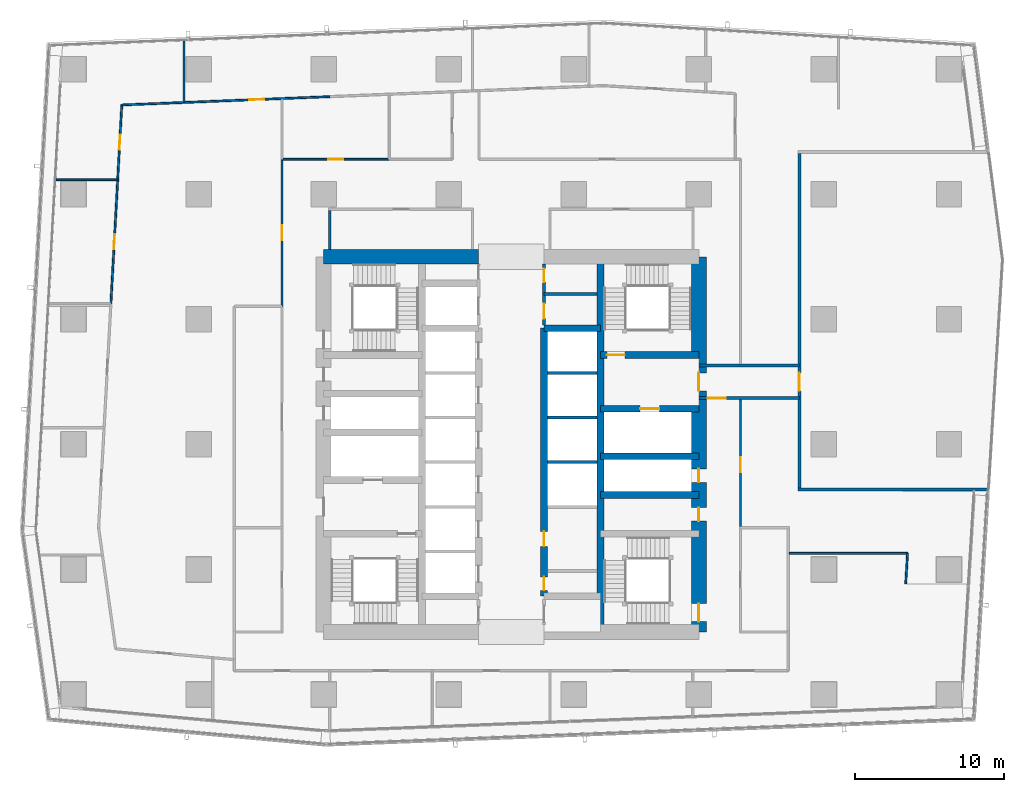
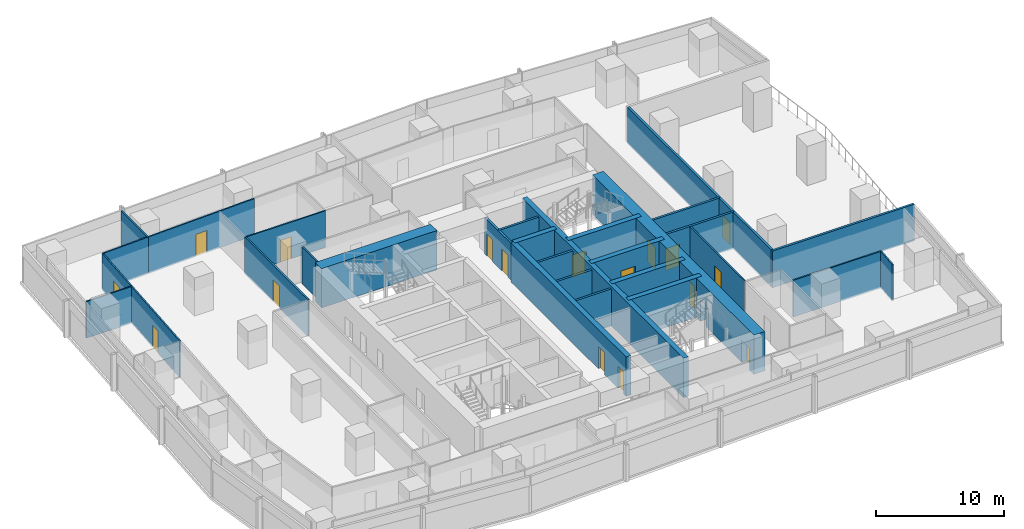
# One storey, part 30 of 40: 30 walls, 18 doors, 18 openings.
"""IFC4 building model written with IfcOpenShell, lengths in metres."""

from ifc_helpers import new_model, si_unit, direction, frame, frame_2d, origin, place, context, subcontext, project, spatial, rectangle, extrude, material, layer, layer_set, type_object, element, fill, save


model = new_model("IFC4")

# Units and contexts
model_context = context("Model", 3, precision=1e-05, world=origin(), true_north=direction((0.0, 1.0)))
body_context = subcontext(model_context, "Body", "Model", "MODEL_VIEW")
ifc_project = project(units=[si_unit("LENGTHUNIT", "METRE"), si_unit("AREAUNIT", "SQUARE_METRE"), si_unit("VOLUMEUNIT", "CUBIC_METRE"), si_unit("PLANEANGLEUNIT", "RADIAN"), si_unit("MASSUNIT", "GRAM", prefix="KILO")], contexts=[model_context])

# Site, building, storey
site_placement = place(None, origin())
site = spatial("IfcSite", under=ifc_project, at=site_placement, CompositionType="ELEMENT")
building_placement = place(site_placement, origin())
building = spatial("IfcBuilding", under=site, at=building_placement, Name="Rekha Terrace Tower", CompositionType="ELEMENT")
storey_placement = place(building_placement, frame((0.0, 0.0, 129.050048828125)))
storey = spatial("IfcBuildingStorey", under=building, at=storey_placement, Name="L32", CompositionType="ELEMENT", Elevation=129.050048828125)

# Wall
ifc_material_1 = material(Name="Concrete M70", Category="concrete")
ifc_layer_1 = layer(ifc_material_1, 0.449951171875)
ifc_layer_set_1 = layer_set([ifc_layer_1], Name="Concrete M70")
wall_type_1 = type_object("IfcWallType", Name="CI2 450 core internal shear wall", PredefinedType="SHEAR", material=ifc_layer_set_1)
wall_1_placement = place(storey_placement, frame((43.800048828125, 21.0, 0.0), z_axis=(0.0, 0.0, 1.0), x_axis=(0.0, 1.0, 0.0)))
element("IfcWall", 1, at=wall_1_placement, inside=storey, type_object=wall_type_1, Name="Core wall X438 L32", PredefinedType="SHEAR", context=body_context, shape_type="SweptSolid", body=[
    extrude(rectangle(XDim=25.199951171875, YDim=0.449951171875, at=frame_2d((12.60009765625, 0.0))), origin(), (0.0, 0.0, 1.0), 3.75),
])

# Wall, openings, doors
wall_2_placement = place(storey_placement, frame((40.0, 23.39990234375, 0.0), z_axis=(0.0, 0.0, 1.0), x_axis=(0.0, 1.0, 0.0)))
wall_2 = element("IfcWall", 2, at=wall_2_placement, inside=storey, type_object=wall_type_1, Name="Core wall X400 L32", PredefinedType="SHEAR", context=body_context, shape_type="SweptSolid", body=[
    extrude(rectangle(XDim=18.0, YDim=0.449951171875, at=frame_2d((9.0, 0.0))), origin(), (0.0, 0.0, 1.0), 3.75),
])
opening_1_placement = place(wall_2_placement, frame((0.39990234375, 0.0, 0.0)))
opening_1 = element("IfcOpeningElement", 3, at=opening_1_placement, cuts=wall_2, Name="Opening D5", PredefinedType="OPENING", context=body_context, shape_type="SweptSolid", body=[
    extrude(rectangle(XDim=0.89990234375, YDim=2.10009765625, at=frame_2d((0.449951171875, 1.050048828125))), frame((0.0, 0.23486328125, 0.0), z_axis=(0.0, -1.0, 0.0), x_axis=(1.0, 0.0, 0.0)), (0.0, 0.0, 1.0), 0.469970703125),
])
opening_2_placement = place(wall_2_placement, frame((3.35009765625, 0.0, 0.0)))
opening_2 = element("IfcOpeningElement", 4, at=opening_2_placement, cuts=wall_2, Name="Opening D9", PredefinedType="OPENING", context=body_context, shape_type="SweptSolid", body=[
    extrude(rectangle(XDim=1.0, YDim=2.10009765625, at=frame_2d((0.5, 1.050048828125))), frame((0.0, 0.23486328125, 0.0), z_axis=(0.0, -1.0, 0.0), x_axis=(1.0, 0.0, 0.0)), (0.0, 0.0, 1.0), 0.469970703125),
])
ifc_material_2 = material(Name="Steel fire door", Category="steel")
door_type_1 = type_object("IfcDoorType", Name="D5 900x2100 riser access door", OperationType="SINGLE_SWING_LEFT", PredefinedType="DOOR", material=ifc_material_2)
door_1_placement = place(opening_1_placement, origin())
door_1 = element("IfcDoor", 5, at=door_1_placement, inside=storey, type_object=door_type_1, Name="Door records store L32", OperationType="SINGLE_SWING_LEFT", OverallHeight=2.10009765625, OverallWidth=0.89990234375, PredefinedType="DOOR", context=body_context, shape_type="SweptSolid", body=[
    extrude(rectangle(XDim=0.89990234375, YDim=2.10009765625, at=frame_2d((0.449951171875, 1.050048828125))), frame((0.0, 0.02490234375, 0.0), z_axis=(0.0, -1.0, 0.0), x_axis=(1.0, 0.0, 0.0)), (0.0, 0.0, 1.0), 0.050048828125),
])
fill(opening_1, door_1)
ifc_material_3 = material(Name="Timber fire door", Category="wood")
door_type_2 = type_object("IfcDoorType", Name="D9 1000x2100 office door", OperationType="SINGLE_SWING_LEFT", PredefinedType="DOOR", material=ifc_material_3)
door_2_placement = place(opening_2_placement, origin())
door_2 = element("IfcDoor", 6, at=door_2_placement, inside=storey, type_object=door_type_2, Name="Door pantry and vending room L32", OperationType="SINGLE_SWING_LEFT", OverallHeight=2.10009765625, OverallWidth=1.0, PredefinedType="DOOR", context=body_context, shape_type="SweptSolid", body=[
    extrude(rectangle(XDim=1.0, YDim=2.10009765625, at=frame_2d((0.5, 1.050048828125))), frame((0.0, 0.02490234375, 0.0), z_axis=(0.0, -1.0, 0.0), x_axis=(1.0, 0.0, 0.0)), (0.0, 0.0, 1.0), 0.050048828125),
])
fill(opening_2, door_2)

# Walls
wall_3_placement = place(storey_placement, frame((40.0, 41.39990234375, 0.0), z_axis=(0.0, 0.0, 1.0), x_axis=(1.0, 0.0, 0.0)))
element("IfcWall", 7, at=wall_3_placement, inside=storey, type_object=wall_type_1, Name="Core wall Y414E L32", PredefinedType="SHEAR", context=body_context, shape_type="SweptSolid", body=[
    extrude(rectangle(XDim=3.800048828125, YDim=0.449951171875, at=frame_2d((1.89990234375, 0.0))), origin(), (0.0, 0.0, 1.0), 3.75),
])
for number, where, z_axis, x_axis, name in (
    (8, (43.800048828125, 30.199951171875, 0.0), (0.0, 0.0, 1.0), (1.0, 0.0, 0.0), "Core wall Y302E L32"),
    (9, (43.800048828125, 32.800048828125, 0.0), (0.0, 0.0, 1.0), (1.0, 0.0, 0.0), "Core wall Y328E L32"),
):
    element("IfcWall", number, at=place(storey_placement, frame(where, z_axis=z_axis, x_axis=x_axis)), inside=storey, type_object=wall_type_1, Name=name, PredefinedType="SHEAR", context=body_context, shape_type="SweptSolid", body=[
        extrude(rectangle(XDim=6.599853515625, YDim=0.449951171875, at=frame_2d((3.2998046875, 0.0))), origin(), (0.0, 0.0, 1.0), 3.75),
    ])

# Wall, opening, door
wall_4_placement = place(storey_placement, frame((43.800048828125, 36.0, 0.0), z_axis=(0.0, 0.0, 1.0), x_axis=(1.0, 0.0, 0.0)))
wall_4 = element("IfcWall", 10, at=wall_4_placement, inside=storey, type_object=wall_type_1, Name="Core wall Y360E L32", PredefinedType="SHEAR", context=body_context, shape_type="SweptSolid", body=[
    extrude(rectangle(XDim=6.599853515625, YDim=0.449951171875, at=frame_2d((3.2998046875, 0.0))), origin(), (0.0, 0.0, 1.0), 3.75),
])
opening_3_placement = place(wall_4_placement, frame((2.64990234375, 0.0, 0.0)))
opening_3 = element("IfcOpeningElement", 11, at=opening_3_placement, cuts=wall_4, Name="Opening LD2", PredefinedType="OPENING", context=body_context, shape_type="SweptSolid", body=[
    extrude(rectangle(XDim=1.300048828125, YDim=2.10009765625, at=frame_2d((0.64990234375, 1.050048828125))), frame((0.0, 0.23486328125, 0.0), z_axis=(0.0, -1.0, 0.0), x_axis=(1.0, 0.0, 0.0)), (0.0, 0.0, 1.0), 0.469970703125),
])
ifc_material_4 = material(Name="Stainless steel sliding landing door", Category="steel")
door_type_3 = type_object("IfcDoorType", Name="LD2 1300x2100 fire lift landing door", OperationType="SLIDING_TO_LEFT", PredefinedType="USERDEFINED", material=ifc_material_4)
door_3_placement = place(opening_3_placement, origin())
door_3 = element("IfcDoor", 12, at=door_3_placement, inside=storey, type_object=door_type_3, Name="Lift FL2 landing door L32", ObjectType="LIFT LANDING DOOR", OperationType="SLIDING_TO_LEFT", OverallHeight=2.10009765625, OverallWidth=1.300048828125, PredefinedType="USERDEFINED", context=body_context, shape_type="SweptSolid", body=[
    extrude(rectangle(XDim=1.300048828125, YDim=2.10009765625, at=frame_2d((0.64990234375, 1.050048828125))), frame((0.0, 0.02490234375, 0.0), z_axis=(0.0, -1.0, 0.0), x_axis=(1.0, 0.0, 0.0)), (0.0, 0.0, 1.0), 0.050048828125),
])
fill(opening_3, door_3)

wall_5_placement = place(storey_placement, frame((43.800048828125, 39.60009765625, 0.0), z_axis=(0.0, 0.0, 1.0), x_axis=(1.0, 0.0, 0.0)))
wall_5 = element("IfcWall", 13, at=wall_5_placement, inside=storey, type_object=wall_type_1, Name="Core wall Y396E L32", PredefinedType="SHEAR", context=body_context, shape_type="SweptSolid", body=[
    extrude(rectangle(XDim=6.599853515625, YDim=0.449951171875, at=frame_2d((3.2998046875, 0.0))), origin(), (0.0, 0.0, 1.0), 3.75),
])
opening_4_placement = place(wall_5_placement, frame((0.425048828125, 0.0, 0.0)))
opening_4 = element("IfcOpeningElement", 14, at=opening_4_placement, cuts=wall_5, Name="Opening D1", PredefinedType="OPENING", context=body_context, shape_type="SweptSolid", body=[
    extrude(rectangle(XDim=1.199951171875, YDim=2.10009765625, at=frame_2d((0.60009765625, 1.050048828125))), frame((0.0, 0.23486328125, 0.0), z_axis=(0.0, -1.0, 0.0), x_axis=(1.0, 0.0, 0.0)), (0.0, 0.0, 1.0), 0.469970703125),
])
door_type_4 = type_object("IfcDoorType", Name="D1 1200x2100 stair fire door", OperationType="SINGLE_SWING_RIGHT", PredefinedType="DOOR", material=ifc_material_2)
door_4_placement = place(opening_4_placement, origin())
door_4 = element("IfcDoor", 15, at=door_4_placement, inside=storey, type_object=door_type_4, Name="Stair ST2 door L32", OperationType="SINGLE_SWING_RIGHT", OverallHeight=2.10009765625, OverallWidth=1.199951171875, PredefinedType="DOOR", context=body_context, shape_type="SweptSolid", body=[
    extrude(rectangle(XDim=1.199951171875, YDim=2.10009765625, at=frame_2d((0.60009765625, 1.050048828125))), frame((0.0, 0.02490234375, 0.0), z_axis=(0.0, -1.0, 0.0), x_axis=(1.0, 0.0, 0.0)), (0.0, 0.0, 1.0), 0.050048828125),
])
fill(opening_4, door_4)

# Wall
ifc_layer_2 = layer(ifc_material_1, 1.0)
ifc_layer_set_2 = layer_set([ifc_layer_2], Name="Concrete M70")
wall_type_2 = type_object("IfcWallType", Name="SW2 1000 core outer shear wall", PredefinedType="SHEAR", material=ifc_layer_set_2)
wall_6_placement = place(storey_placement, frame((25.199951171875, 46.199951171875, 0.0), z_axis=(0.0, 0.0, 1.0), x_axis=(1.0, 0.0, 0.0)))
element("IfcWall", 16, at=wall_6_placement, inside=storey, type_object=wall_type_2, Name="Core wall N1 L32", PredefinedType="SHEAR", context=body_context, shape_type="SweptSolid", body=[
    extrude(rectangle(XDim=10.400146484375, YDim=1.0, at=frame_2d((5.2001953125, 0.0))), origin(), (0.0, 0.0, 1.0), 3.75),
])

# Wall, openings, doors
wall_7_placement = place(storey_placement, frame((50.39990234375, 21.0, 0.0), z_axis=(0.0, 0.0, 1.0), x_axis=(0.0, 1.0, 0.0)))
wall_7 = element("IfcWall", 17, at=wall_7_placement, inside=storey, type_object=wall_type_2, Name="Core wall E L32", PredefinedType="SHEAR", context=body_context, shape_type="SweptSolid", body=[
    extrude(rectangle(XDim=25.199951171875, YDim=1.0, at=frame_2d((12.60009765625, 0.0))), origin(), (0.0, 0.0, 1.0), 3.75),
])
opening_5_placement = place(wall_7_placement, frame((16.199951171875, 0.0, 0.0)))
opening_5 = element("IfcOpeningElement", 18, at=opening_5_placement, cuts=wall_7, Name="Opening D2", PredefinedType="OPENING", context=body_context, shape_type="SweptSolid", body=[
    extrude(rectangle(XDim=1.199951171875, YDim=2.10009765625, at=frame_2d((0.60009765625, 1.050048828125))), frame((0.0, 0.510009765625, 0.0), z_axis=(0.0, -1.0, 0.0), x_axis=(1.0, 0.0, 0.0)), (0.0, 0.0, 1.0), 1.02001953125),
])
opening_6_placement = place(wall_7_placement, frame((10.050048828125, 0.0, 0.0)))
opening_6 = element("IfcOpeningElement", 19, at=opening_6_placement, cuts=wall_7, Name="Opening D5", PredefinedType="OPENING", context=body_context, shape_type="SweptSolid", body=[
    extrude(rectangle(XDim=0.89990234375, YDim=2.10009765625, at=frame_2d((0.449951171875, 1.050048828125))), frame((0.0, 0.510009765625, 0.0), z_axis=(0.0, -1.0, 0.0), x_axis=(1.0, 0.0, 0.0)), (0.0, 0.0, 1.0), 1.02001953125),
])
opening_7_placement = place(wall_7_placement, frame((7.449951171875, 0.0, 0.0)))
opening_7 = element("IfcOpeningElement", 20, at=opening_7_placement, cuts=wall_7, Name="Opening D5", PredefinedType="OPENING", context=body_context, shape_type="SweptSolid", body=[
    extrude(rectangle(XDim=0.89990234375, YDim=2.10009765625, at=frame_2d((0.449951171875, 1.050048828125))), frame((0.0, 0.510009765625, 0.0), z_axis=(0.0, -1.0, 0.0), x_axis=(1.0, 0.0, 0.0)), (0.0, 0.0, 1.0), 1.02001953125),
])
opening_8_placement = place(wall_7_placement, frame((0.699951171875, 0.0, 0.0)))
opening_8 = element("IfcOpeningElement", 21, at=opening_8_placement, cuts=wall_7, Name="Opening D1", PredefinedType="OPENING", context=body_context, shape_type="SweptSolid", body=[
    extrude(rectangle(XDim=1.199951171875, YDim=2.10009765625, at=frame_2d((0.60009765625, 1.050048828125))), frame((0.0, 0.510009765625, 0.0), z_axis=(0.0, -1.0, 0.0), x_axis=(1.0, 0.0, 0.0)), (0.0, 0.0, 1.0), 1.02001953125),
])
door_5_placement = place(opening_8_placement, origin())
door_5 = element("IfcDoor", 22, at=door_5_placement, inside=storey, type_object=door_type_4, Name="Stair ST3 door L32", OperationType="SINGLE_SWING_RIGHT", OverallHeight=2.10009765625, OverallWidth=1.199951171875, PredefinedType="DOOR", context=body_context, shape_type="SweptSolid", body=[
    extrude(rectangle(XDim=1.199951171875, YDim=2.10009765625, at=frame_2d((0.60009765625, 1.050048828125))), frame((0.0, 0.02490234375, 0.0), z_axis=(0.0, -1.0, 0.0), x_axis=(1.0, 0.0, 0.0)), (0.0, 0.0, 1.0), 0.050048828125),
])
fill(opening_8, door_5)
door_type_5 = type_object("IfcDoorType", Name="D2 1200x2100 firefighting lobby door", OperationType="SINGLE_SWING_LEFT", PredefinedType="DOOR", material=ifc_material_2)
door_6_placement = place(opening_5_placement, origin())
door_6 = element("IfcDoor", 23, at=door_6_placement, inside=storey, type_object=door_type_5, Name="Door flb2 L32", OperationType="SINGLE_SWING_LEFT", OverallHeight=2.10009765625, OverallWidth=1.199951171875, PredefinedType="DOOR", context=body_context, shape_type="SweptSolid", body=[
    extrude(rectangle(XDim=1.199951171875, YDim=2.10009765625, at=frame_2d((0.60009765625, 1.050048828125))), frame((0.0, 0.02490234375, 0.0), z_axis=(0.0, -1.0, 0.0), x_axis=(1.0, 0.0, 0.0)), (0.0, 0.0, 1.0), 0.050048828125),
])
fill(opening_5, door_6)
door_7_placement = place(opening_6_placement, origin())
door_7 = element("IfcDoor", 24, at=door_7_placement, inside=storey, type_object=door_type_1, Name="Door rs2 L32", OperationType="SINGLE_SWING_LEFT", OverallHeight=2.10009765625, OverallWidth=0.89990234375, PredefinedType="DOOR", context=body_context, shape_type="SweptSolid", body=[
    extrude(rectangle(XDim=0.89990234375, YDim=2.10009765625, at=frame_2d((0.449951171875, 1.050048828125))), frame((0.0, 0.02490234375, 0.0), z_axis=(0.0, -1.0, 0.0), x_axis=(1.0, 0.0, 0.0)), (0.0, 0.0, 1.0), 0.050048828125),
])
fill(opening_6, door_7)
door_8_placement = place(opening_7_placement, origin())
door_8 = element("IfcDoor", 25, at=door_8_placement, inside=storey, type_object=door_type_1, Name="Door ele L32", OperationType="SINGLE_SWING_LEFT", OverallHeight=2.10009765625, OverallWidth=0.89990234375, PredefinedType="DOOR", context=body_context, shape_type="SweptSolid", body=[
    extrude(rectangle(XDim=0.89990234375, YDim=2.10009765625, at=frame_2d((0.449951171875, 1.050048828125))), frame((0.0, 0.02490234375, 0.0), z_axis=(0.0, -1.0, 0.0), x_axis=(1.0, 0.0, 0.0)), (0.0, 0.0, 1.0), 0.050048828125),
])
fill(opening_7, door_8)

# Wall
ifc_material_5 = material(Name="Concrete block masonry, 1 hour", Category="masonry")
ifc_layer_3 = layer(ifc_material_5, 0.14990234375)
ifc_layer_set_3 = layer_set([ifc_layer_3], Name="Concrete block masonry, 1 hour")
wall_type_3 = type_object("IfcWallType", Name="WP2 150 tenancy partition", PredefinedType="PARTITIONING", material=ifc_layer_set_3)
wall_8_placement = place(storey_placement, frame((25.60009765625, 46.699951171875, 0.0), z_axis=(0.0, 0.0, 1.0), x_axis=(0.0, 1.0, 0.0)))
element("IfcWall", 26, at=wall_8_placement, inside=storey, type_object=wall_type_3, Name="Women's WC wall L32", PredefinedType="PARTITIONING", context=body_context, shape_type="SweptSolid", body=[
    extrude(rectangle(XDim=2.625, YDim=0.14990234375, at=frame_2d((1.3125, 0.0))), origin(), (0.0, 0.0, 1.0), 3.5),
])

# Wall, opening, door
wall_9_placement = place(storey_placement, frame((22.39990234375, 52.75, 0.0), z_axis=(0.0, 0.0, 1.0), x_axis=(0.0, -1.0, 0.0)))
wall_9 = element("IfcWall", 27, at=wall_9_placement, inside=storey, type_object=wall_type_3, Name="Partition L32-O2b", PredefinedType="PARTITIONING", context=body_context, shape_type="SweptSolid", body=[
    extrude(rectangle(XDim=9.876953125, YDim=0.14990234375, at=frame_2d((4.9384765625, 0.0))), origin(), (0.0, 0.0, 1.0), 3.5),
])
opening_9_placement = place(wall_9_placement, frame((4.43896484375, 0.0, 0.0)))
opening_9 = element("IfcOpeningElement", 28, at=opening_9_placement, cuts=wall_9, Name="Opening D9", PredefinedType="OPENING", context=body_context, shape_type="SweptSolid", body=[
    extrude(rectangle(XDim=1.0, YDim=2.10009765625, at=frame_2d((0.5, 1.050048828125))), frame((0.0, 0.0849609375, 0.0), z_axis=(0.0, -1.0, 0.0), x_axis=(1.0, 0.0, 0.0)), (0.0, 0.0, 1.0), 0.169921875),
])
door_9_placement = place(opening_9_placement, origin())
door_9 = element("IfcDoor", 29, at=door_9_placement, inside=storey, type_object=door_type_2, Name="Door open-plan office L32", OperationType="SINGLE_SWING_LEFT", OverallHeight=2.10009765625, OverallWidth=1.0, PredefinedType="DOOR", context=body_context, shape_type="SweptSolid", body=[
    extrude(rectangle(XDim=1.0, YDim=2.10009765625, at=frame_2d((0.5, 1.050048828125))), frame((0.0, 0.02490234375, 0.0), z_axis=(0.0, -1.0, 0.0), x_axis=(1.0, 0.0, 0.0)), (0.0, 0.0, 1.0), 0.050048828125),
])
fill(opening_9, door_9)

# Walls
ifc_material_6 = material(Name="Two layers of fire-rated gypsum board each side on steel studs, acoustic quilt, 1 hour", Category="steel")
ifc_layer_4 = layer(ifc_material_6, 0.125)
ifc_layer_set_4 = layer_set([ifc_layer_4], Name="Two layers of fire-rated gypsum board each side on steel studs, acoustic quilt, 1 hour")
wall_type_4 = type_object("IfcWallType", Name="WP3 125 office partition", PredefinedType="PARTITIONING", material=ifc_layer_set_4)
wall_10_placement = place(storey_placement, frame((64.2958984375, 24.23291015625, 0.0), z_axis=(0.0, 0.0, 1.0), x_axis=(0.061034926911, 0.998135630912, 0.0)))
element("IfcWall", 30, at=wall_10_placement, inside=storey, type_object=wall_type_4, Name="Partition L32-02", PredefinedType="PARTITIONING", context=body_context, shape_type="SweptSolid", body=[
    extrude(rectangle(XDim=2.048095703125, YDim=0.125, at=frame_2d((1.02392578125, 0.0))), origin(), (0.0, 0.0, 1.0), 3.5),
])
wall_11_placement = place(storey_placement, frame((64.4208984375, 26.277099609375, 0.0), z_axis=(0.0, 0.0, 1.0), x_axis=(-1.0, 0.0, 0.0)))
element("IfcWall", 31, at=wall_11_placement, inside=storey, type_object=wall_type_4, Name="Partition L32-02", PredefinedType="PARTITIONING", context=body_context, shape_type="SweptSolid", body=[
    extrude(rectangle(XDim=7.94580078125, YDim=0.125, at=frame_2d((3.972900390625, 0.0))), origin(), (0.0, 0.0, 1.0), 3.5),
])

# Wall, opening, door
wall_12_placement = place(storey_placement, frame((53.199951171875, 28.074951171875, 0.0), z_axis=(0.0, 0.0, 1.0), x_axis=(0.0, 1.0, 0.0)))
wall_12 = element("IfcWall", 32, at=wall_12_placement, inside=storey, type_object=wall_type_4, Name="Partition L32-02", PredefinedType="PARTITIONING", context=body_context, shape_type="SweptSolid", body=[
    extrude(rectangle(XDim=8.51416015625, YDim=0.125, at=frame_2d((4.257080078125, 0.0))), origin(), (0.0, 0.0, 1.0), 3.5),
])
opening_10_placement = place(wall_12_placement, frame((3.64892578125, 0.0, 0.0)))
opening_10 = element("IfcOpeningElement", 33, at=opening_10_placement, cuts=wall_12, Name="Opening D9", PredefinedType="OPENING", context=body_context, shape_type="SweptSolid", body=[
    extrude(rectangle(XDim=1.0, YDim=2.10009765625, at=frame_2d((0.5, 1.050048828125))), frame((0.0, 0.072509765625, 0.0), z_axis=(0.0, -1.0, 0.0), x_axis=(1.0, 0.0, 0.0)), (0.0, 0.0, 1.0), 0.14501953125),
])
door_10_placement = place(opening_10_placement, origin())
door_10 = element("IfcDoor", 34, at=door_10_placement, inside=storey, type_object=door_type_2, Name="Door director's office L32", OperationType="SINGLE_SWING_LEFT", OverallHeight=2.10009765625, OverallWidth=1.0, PredefinedType="DOOR", context=body_context, shape_type="SweptSolid", body=[
    extrude(rectangle(XDim=1.0, YDim=2.10009765625, at=frame_2d((0.5, 1.050048828125))), frame((0.0, 0.02490234375, 0.0), z_axis=(0.0, -1.0, 0.0), x_axis=(1.0, 0.0, 0.0)), (0.0, 0.0, 1.0), 0.050048828125),
])
fill(opening_10, door_10)

wall_13_placement = place(storey_placement, frame((25.59912109375, 56.9580078125, 0.0), z_axis=(0.0, 0.0, 1.0), x_axis=(-0.999198008703, -0.04004172078, 0.0)))
wall_13 = element("IfcWall", 35, at=wall_13_placement, inside=storey, type_object=wall_type_4, Name="Partition L32-06", PredefinedType="PARTITIONING", context=body_context, shape_type="SweptSolid", body=[
    extrude(rectangle(XDim=9.7919921875, YDim=0.125, at=frame_2d((4.89599609375, 0.0))), origin(), (0.0, 0.0, 1.0), 3.5),
])
opening_11_placement = place(wall_13_placement, frame((4.39599609375, 0.0, 0.0)))
opening_11 = element("IfcOpeningElement", 36, at=opening_11_placement, cuts=wall_13, Name="Opening D9", PredefinedType="OPENING", context=body_context, shape_type="SweptSolid", body=[
    extrude(rectangle(XDim=1.0, YDim=2.10009765625, at=frame_2d((0.5, 1.050048828125))), frame((0.0, 0.072509765625, 0.0), z_axis=(0.0, -1.0, 0.0), x_axis=(1.0, 0.0, 0.0)), (0.0, 0.0, 1.0), 0.14501953125),
])
door_11_placement = place(opening_11_placement, origin())
door_11 = element("IfcDoor", 37, at=door_11_placement, inside=storey, type_object=door_type_2, Name="Door office L32", OperationType="SINGLE_SWING_LEFT", OverallHeight=2.10009765625, OverallWidth=1.0, PredefinedType="DOOR", context=body_context, shape_type="SweptSolid", body=[
    extrude(rectangle(XDim=1.0, YDim=2.10009765625, at=frame_2d((0.5, 1.050048828125))), frame((0.0, 0.02490234375, 0.0), z_axis=(0.0, -1.0, 0.0), x_axis=(1.0, 0.0, 0.0)), (0.0, 0.0, 1.0), 0.050048828125),
])
fill(opening_11, door_11)

# Walls
wall_14_placement = place(storey_placement, frame((15.81494140625, 56.56591796875, 0.0), z_axis=(0.0, 0.0, 1.0), x_axis=(0.0, 1.0, 0.0)))
element("IfcWall", 38, at=wall_14_placement, inside=storey, type_object=wall_type_4, Name="Partition L32-06", PredefinedType="PARTITIONING", context=body_context, shape_type="SweptSolid", body=[
    extrude(rectangle(XDim=4.123046875, YDim=0.125, at=frame_2d((2.0615234375, 0.0))), origin(), (0.0, 0.0, 1.0), 3.5),
])
wall_15_placement = place(storey_placement, frame((11.362060546875, 51.37890625, 0.0), z_axis=(0.0, 0.0, 1.0), x_axis=(-1.0, 0.0, 0.0)))
element("IfcWall", 39, at=wall_15_placement, inside=storey, type_object=wall_type_4, Name="Partition L32-07", PredefinedType="PARTITIONING", context=body_context, shape_type="SweptSolid", body=[
    extrude(rectangle(XDim=4.1259765625, YDim=0.125, at=frame_2d((2.06298828125, 0.0))), origin(), (0.0, 0.0, 1.0), 3.5),
])
wall_16_placement = place(storey_placement, frame((15.81396484375, 56.56591796875, 0.0), z_axis=(0.0, 0.0, 1.0), x_axis=(-0.999192069217, -0.040189660545, 0.0)))
element("IfcWall", 40, at=wall_16_placement, inside=storey, type_object=wall_type_4, Name="Partition L32-07", PredefinedType="PARTITIONING", context=body_context, shape_type="SweptSolid", body=[
    extrude(rectangle(XDim=4.179443359375, YDim=0.125, at=frame_2d((2.08984375, 0.0))), origin(), (0.0, 0.0, 1.0), 3.5),
])

# Wall, opening, door
wall_17_placement = place(storey_placement, frame((11.637939453125, 56.39794921875, 0.0), z_axis=(0.0, 0.0, 1.0), x_axis=(-0.05488358881, -0.998492759953, 0.0)))
wall_17 = element("IfcWall", 41, at=wall_17_placement, inside=storey, type_object=wall_type_4, Name="Partition L32-07", PredefinedType="PARTITIONING", context=body_context, shape_type="SweptSolid", body=[
    extrude(rectangle(XDim=5.026611328125, YDim=0.125, at=frame_2d((2.51318359375, 0.0))), origin(), (0.0, 0.0, 1.0), 3.5),
])
opening_12_placement = place(wall_17_placement, frame((2.012939453125, 0.0, 0.0)))
opening_12 = element("IfcOpeningElement", 42, at=opening_12_placement, cuts=wall_17, Name="Opening D9", PredefinedType="OPENING", context=body_context, shape_type="SweptSolid", body=[
    extrude(rectangle(XDim=1.0, YDim=2.10009765625, at=frame_2d((0.5, 1.050048828125))), frame((0.0, 0.072509765625, 0.0), z_axis=(0.0, -1.0, 0.0), x_axis=(1.0, 0.0, 0.0)), (0.0, 0.0, 1.0), 0.14501953125),
])
door_12_placement = place(opening_12_placement, origin())
door_12 = element("IfcDoor", 43, at=door_12_placement, inside=storey, type_object=door_type_2, Name="Door director's office L32", OperationType="SINGLE_SWING_LEFT", OverallHeight=2.10009765625, OverallWidth=1.0, PredefinedType="DOOR", context=body_context, shape_type="SweptSolid", body=[
    extrude(rectangle(XDim=1.0, YDim=2.10009765625, at=frame_2d((0.5, 1.050048828125))), frame((0.0, 0.02490234375, 0.0), z_axis=(0.0, -1.0, 0.0), x_axis=(1.0, 0.0, 0.0)), (0.0, 0.0, 1.0), 0.050048828125),
])
fill(opening_12, door_12)

wall_18_placement = place(storey_placement, frame((11.362060546875, 51.3779296875, 0.0), z_axis=(0.0, 0.0, 1.0), x_axis=(-0.054769987218, -0.998498997746, 0.0)))
wall_18 = element("IfcWall", 44, at=wall_18_placement, inside=storey, type_object=wall_type_4, Name="Partition L32-08", PredefinedType="PARTITIONING", context=body_context, shape_type="SweptSolid", body=[
    extrude(rectangle(XDim=8.344482421875, YDim=0.125, at=frame_2d((4.17236328125, 0.0))), origin(), (0.0, 0.0, 1.0), 3.5),
])
opening_13_placement = place(wall_18_placement, frame((3.672119140625, 0.0, 0.0)))
opening_13 = element("IfcOpeningElement", 45, at=opening_13_placement, cuts=wall_18, Name="Opening D9", PredefinedType="OPENING", context=body_context, shape_type="SweptSolid", body=[
    extrude(rectangle(XDim=1.0, YDim=2.10009765625, at=frame_2d((0.5, 1.050048828125))), frame((0.0, 0.072509765625, 0.0), z_axis=(0.0, -1.0, 0.0), x_axis=(1.0, 0.0, 0.0)), (0.0, 0.0, 1.0), 0.14501953125),
])
door_13_placement = place(opening_13_placement, origin())
door_13 = element("IfcDoor", 46, at=door_13_placement, inside=storey, type_object=door_type_2, Name="Door wellness room L32", OperationType="SINGLE_SWING_LEFT", OverallHeight=2.10009765625, OverallWidth=1.0, PredefinedType="DOOR", context=body_context, shape_type="SweptSolid", body=[
    extrude(rectangle(XDim=1.0, YDim=2.10009765625, at=frame_2d((0.5, 1.050048828125))), frame((0.0, 0.02490234375, 0.0), z_axis=(0.0, -1.0, 0.0), x_axis=(1.0, 0.0, 0.0)), (0.0, 0.0, 1.0), 0.050048828125),
])
fill(opening_13, door_13)

wall_19_placement = place(storey_placement, frame((29.60009765625, 52.75, 0.0), z_axis=(0.0, 0.0, 1.0), x_axis=(-1.0, 0.0, 0.0)))
wall_19 = element("IfcWall", 47, at=wall_19_placement, inside=storey, type_object=wall_type_4, Name="Partition L32-09", PredefinedType="PARTITIONING", context=body_context, shape_type="SweptSolid", body=[
    extrude(rectangle(XDim=7.2001953125, YDim=0.125, at=frame_2d((3.60009765625, 0.0))), origin(), (0.0, 0.0, 1.0), 3.5),
])
opening_14_placement = place(wall_19_placement, frame((3.10009765625, 0.0, 0.0)))
opening_14 = element("IfcOpeningElement", 48, at=opening_14_placement, cuts=wall_19, Name="Opening D9", PredefinedType="OPENING", context=body_context, shape_type="SweptSolid", body=[
    extrude(rectangle(XDim=1.0, YDim=2.10009765625, at=frame_2d((0.5, 1.050048828125))), frame((0.0, 0.072509765625, 0.0), z_axis=(0.0, -1.0, 0.0), x_axis=(1.0, 0.0, 0.0)), (0.0, 0.0, 1.0), 0.14501953125),
])
door_14_placement = place(opening_14_placement, origin())
door_14 = element("IfcDoor", 49, at=door_14_placement, inside=storey, type_object=door_type_2, Name="Door reception L32", OperationType="SINGLE_SWING_LEFT", OverallHeight=2.10009765625, OverallWidth=1.0, PredefinedType="DOOR", context=body_context, shape_type="SweptSolid", body=[
    extrude(rectangle(XDim=1.0, YDim=2.10009765625, at=frame_2d((0.5, 1.050048828125))), frame((0.0, 0.02490234375, 0.0), z_axis=(0.0, -1.0, 0.0), x_axis=(1.0, 0.0, 0.0)), (0.0, 0.0, 1.0), 0.050048828125),
])
fill(opening_14, door_14)

# Walls
ifc_material_7 = material(Name="Solid concrete block masonry, 2 hour", Category="masonry")
ifc_layer_5 = layer(ifc_material_7, 0.199951171875)
ifc_layer_set_5 = layer_set([ifc_layer_5], Name="Solid concrete block masonry, 2 hour")
wall_type_5 = type_object("IfcWallType", Name="WS1 200 stair and shaft enclosure", PredefinedType="PARTITIONING", material=ifc_layer_set_5)
for number, where, z_axis, x_axis, name in (
    (50, (40.22509765625, 32.39990234375, 0.0), (0.0, 0.0, 1.0), (1.0, 0.0, 0.0), "Lift shaft divider L32"),
    (51, (40.22509765625, 35.39990234375, 0.0), (0.0, 0.0, 1.0), (1.0, 0.0, 0.0), "Lift shaft divider L32"),
    (52, (40.22509765625, 38.39990234375, 0.0), (0.0, 0.0, 1.0), (1.0, 0.0, 0.0), "Lift shaft divider L32"),
):
    element("IfcWall", number, at=place(storey_placement, frame(where, z_axis=z_axis, x_axis=x_axis)), inside=storey, type_object=wall_type_5, Name=name, PredefinedType="PARTITIONING", context=body_context, shape_type="SweptSolid", body=[
        extrude(rectangle(XDim=3.349853515625, YDim=0.199951171875, at=frame_2d((1.6748046875, 0.0))), origin(), (0.0, 0.0, 1.0), 3.5),
    ])

# Wall, openings, doors
wall_20_placement = place(storey_placement, frame((40.0, 41.625, 0.0), z_axis=(0.0, 0.0, 1.0), x_axis=(0.0, 1.0, 0.0)))
wall_20 = element("IfcWall", 53, at=wall_20_placement, inside=storey, type_object=wall_type_5, Name="Core partition elec L32", PredefinedType="PARTITIONING", context=body_context, shape_type="SweptSolid", body=[
    extrude(rectangle(XDim=4.074951171875, YDim=0.199951171875, at=frame_2d((2.03759765625, 0.0))), origin(), (0.0, 0.0, 1.0), 3.5),
])
opening_15_placement = place(wall_20_placement, frame((2.875, 0.0, 0.0)))
opening_15 = element("IfcOpeningElement", 54, at=opening_15_placement, cuts=wall_20, Name="Opening D5", PredefinedType="OPENING", context=body_context, shape_type="SweptSolid", body=[
    extrude(rectangle(XDim=0.89990234375, YDim=2.10009765625, at=frame_2d((0.449951171875, 1.050048828125))), frame((0.0, 0.10986328125, 0.0), z_axis=(0.0, -1.0, 0.0), x_axis=(1.0, 0.0, 0.0)), (0.0, 0.0, 1.0), 0.219970703125),
])
opening_16_placement = place(wall_20_placement, frame((0.425048828125, 0.0, 0.0)))
opening_16 = element("IfcOpeningElement", 55, at=opening_16_placement, cuts=wall_20, Name="Opening D9", PredefinedType="OPENING", context=body_context, shape_type="SweptSolid", body=[
    extrude(rectangle(XDim=1.0, YDim=2.10009765625, at=frame_2d((0.5, 1.050048828125))), frame((0.0, 0.10986328125, 0.0), z_axis=(0.0, -1.0, 0.0), x_axis=(1.0, 0.0, 0.0)), (0.0, 0.0, 1.0), 0.219970703125),
])
door_15_placement = place(opening_15_placement, origin())
door_15 = element("IfcDoor", 56, at=door_15_placement, inside=storey, type_object=door_type_1, Name="Door electrical room L32", OperationType="SINGLE_SWING_LEFT", OverallHeight=2.10009765625, OverallWidth=0.89990234375, PredefinedType="DOOR", context=body_context, shape_type="SweptSolid", body=[
    extrude(rectangle(XDim=0.89990234375, YDim=2.10009765625, at=frame_2d((0.449951171875, 1.050048828125))), frame((0.0, 0.02490234375, 0.0), z_axis=(0.0, -1.0, 0.0), x_axis=(1.0, 0.0, 0.0)), (0.0, 0.0, 1.0), 0.050048828125),
])
fill(opening_15, door_15)
door_16_placement = place(opening_16_placement, origin())
door_16 = element("IfcDoor", 57, at=door_16_placement, inside=storey, type_object=door_type_2, Name="Door first aid room L32", OperationType="SINGLE_SWING_LEFT", OverallHeight=2.10009765625, OverallWidth=1.0, PredefinedType="DOOR", context=body_context, shape_type="SweptSolid", body=[
    extrude(rectangle(XDim=1.0, YDim=2.10009765625, at=frame_2d((0.5, 1.050048828125))), frame((0.0, 0.02490234375, 0.0), z_axis=(0.0, -1.0, 0.0), x_axis=(1.0, 0.0, 0.0)), (0.0, 0.0, 1.0), 0.050048828125),
])
fill(opening_16, door_16)

# Wall
wall_21_placement = place(storey_placement, frame((40.0, 43.699951171875, 0.0), z_axis=(0.0, 0.0, 1.0), x_axis=(1.0, 0.0, 0.0)))
element("IfcWall", 58, at=wall_21_placement, inside=storey, type_object=wall_type_5, Name="Core partition elx L32", PredefinedType="PARTITIONING", context=body_context, shape_type="SweptSolid", body=[
    extrude(rectangle(XDim=3.574951171875, YDim=0.199951171875, at=frame_2d((1.78759765625, 0.0))), origin(), (0.0, 0.0, 1.0), 3.5),
])

# Wall, opening, door
wall_22_placement = place(storey_placement, frame((57.14990234375, 30.677978515625, 0.0), z_axis=(0.0, 0.0, 1.0), x_axis=(0.0, 1.0, 0.0)))
wall_22 = element("IfcWall", 59, at=wall_22_placement, inside=storey, type_object=wall_type_5, Name="Refuge area inner wall L32", PredefinedType="PARTITIONING", context=body_context, shape_type="SweptSolid", body=[
    extrude(rectangle(XDim=22.447021484375, YDim=0.199951171875, at=frame_2d((11.2236328125, 0.0))), origin(), (0.0, 0.0, 1.0), 3.5),
])
opening_17_placement = place(wall_22_placement, frame((6.52197265625, 0.0, 0.0)))
opening_17 = element("IfcOpeningElement", 60, at=opening_17_placement, cuts=wall_22, Name="Opening D2", PredefinedType="OPENING", context=body_context, shape_type="SweptSolid", body=[
    extrude(rectangle(XDim=1.199951171875, YDim=2.10009765625, at=frame_2d((0.60009765625, 1.050048828125))), frame((0.0, 0.10986328125, 0.0), z_axis=(0.0, -1.0, 0.0), x_axis=(1.0, 0.0, 0.0)), (0.0, 0.0, 1.0), 0.219970703125),
])
door_17_placement = place(opening_17_placement, origin())
door_17 = element("IfcDoor", 61, at=door_17_placement, inside=storey, type_object=door_type_5, Name="Refuge area door L32", OperationType="SINGLE_SWING_LEFT", OverallHeight=2.10009765625, OverallWidth=1.199951171875, PredefinedType="DOOR", context=body_context, shape_type="SweptSolid", body=[
    extrude(rectangle(XDim=1.199951171875, YDim=2.10009765625, at=frame_2d((0.60009765625, 1.050048828125))), frame((0.0, 0.02490234375, 0.0), z_axis=(0.0, -1.0, 0.0), x_axis=(1.0, 0.0, 0.0)), (0.0, 0.0, 1.0), 0.050048828125),
])
fill(opening_17, door_17)

# Walls
wall_23_placement = place(storey_placement, frame((57.050048828125, 30.577880859375, 0.0), z_axis=(0.0, 0.0, 1.0), x_axis=(1.0, 0.0, 0.0)))
element("IfcWall", 62, at=wall_23_placement, inside=storey, type_object=wall_type_5, Name="Refuge area south wall L32", PredefinedType="PARTITIONING", context=body_context, shape_type="SweptSolid", body=[
    extrude(rectangle(XDim=12.804931640625, YDim=0.199951171875, at=frame_2d((6.40234375, 0.0))), origin(), (0.0, 0.0, 1.0), 3.5),
])
wall_24_placement = place(storey_placement, frame((50.39990234375, 38.89990234375, 0.0), z_axis=(0.0, 0.0, 1.0), x_axis=(1.0, 0.0, 0.0)))
element("IfcWall", 63, at=wall_24_placement, inside=storey, type_object=wall_type_5, Name="Refuge corridor north wall L32", PredefinedType="PARTITIONING", context=body_context, shape_type="SweptSolid", body=[
    extrude(rectangle(XDim=6.75, YDim=0.199951171875, at=frame_2d((3.375, 0.0))), origin(), (0.0, 0.0, 1.0), 3.5),
])

# Wall, opening, door
wall_25_placement = place(storey_placement, frame((50.39990234375, 36.699951171875, 0.0), z_axis=(0.0, 0.0, 1.0), x_axis=(1.0, 0.0, 0.0)))
wall_25 = element("IfcWall", 64, at=wall_25_placement, inside=storey, type_object=wall_type_5, Name="Refuge corridor south wall L32", PredefinedType="PARTITIONING", context=body_context, shape_type="SweptSolid", body=[
    extrude(rectangle(XDim=6.75, YDim=0.199951171875, at=frame_2d((3.375, 0.0))), origin(), (0.0, 0.0, 1.0), 3.5),
])
opening_18_placement = place(wall_25_placement, frame((0.60009765625, 0.0, 0.0)))
opening_18 = element("IfcOpeningElement", 65, at=opening_18_placement, cuts=wall_25, Name="Opening D2", PredefinedType="OPENING", context=body_context, shape_type="SweptSolid", body=[
    extrude(rectangle(XDim=1.199951171875, YDim=2.10009765625, at=frame_2d((0.60009765625, 1.050048828125))), frame((0.0, 0.10986328125, 0.0), z_axis=(0.0, -1.0, 0.0), x_axis=(1.0, 0.0, 0.0)), (0.0, 0.0, 1.0), 0.219970703125),
])
door_18_placement = place(opening_18_placement, origin())
door_18 = element("IfcDoor", 66, at=door_18_placement, inside=storey, type_object=door_type_5, Name="Refuge corridor door L32", OperationType="SINGLE_SWING_LEFT", OverallHeight=2.10009765625, OverallWidth=1.199951171875, PredefinedType="DOOR", context=body_context, shape_type="SweptSolid", body=[
    extrude(rectangle(XDim=1.199951171875, YDim=2.10009765625, at=frame_2d((0.60009765625, 1.050048828125))), frame((0.0, 0.02490234375, 0.0), z_axis=(0.0, -1.0, 0.0), x_axis=(1.0, 0.0, 0.0)), (0.0, 0.0, 1.0), 0.050048828125),
])
fill(opening_18, door_18)

save(model, "model.ifc")
